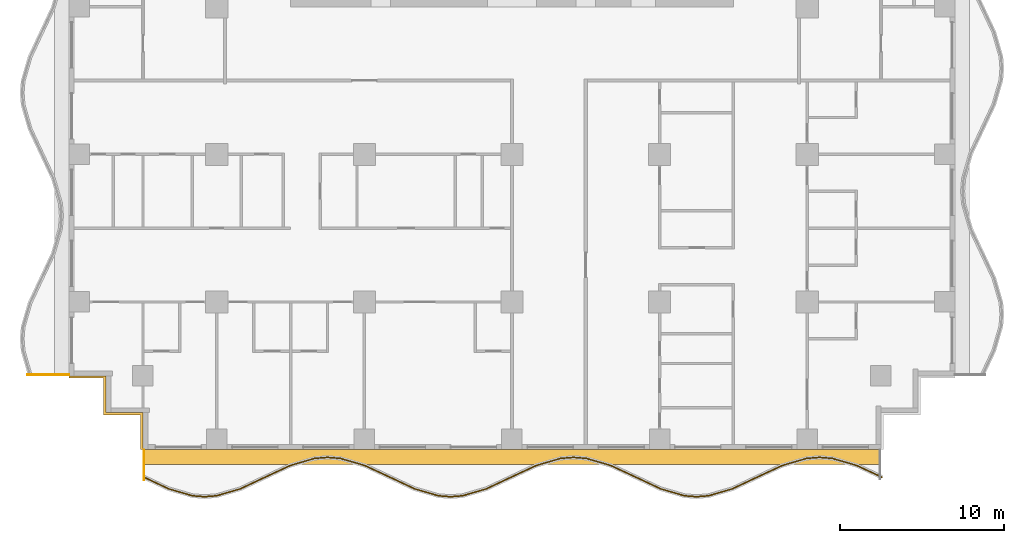
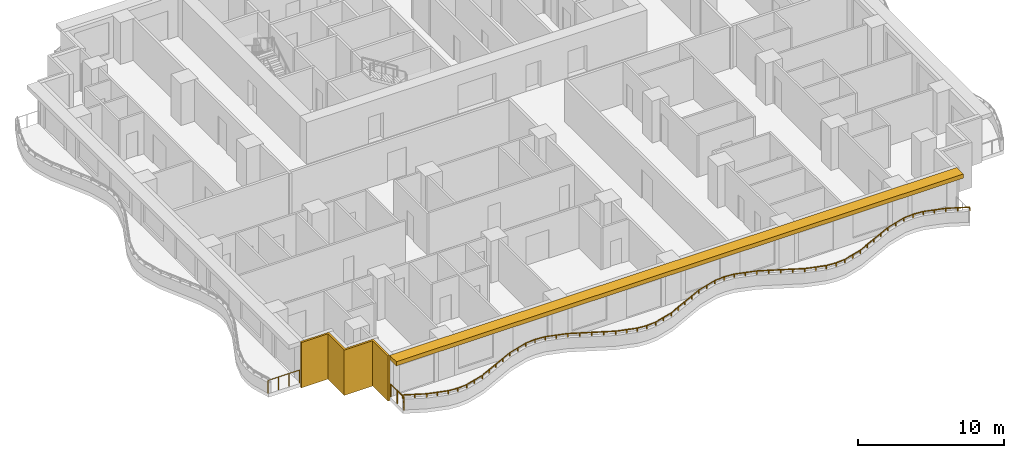
# One storey, part 8 of 14: 3 railings, 2 shading devices.
"""IFC4 building model written with IfcOpenShell, lengths in metres."""

import ifcopenshell
import ifcopenshell.guid

model = None  # the IFC model being written
_history = None  # IfcOwnerHistory: only IFC2X3 demands one
_inside = {}  # id of a spatial element -> (the spatial element, [elements in it])
_under = {}  # id of a project, library or spatial element -> (it, [spatial elements below it])
_declared = {}  # id of a project -> (the project, [libraries it declares])
_typed = {}  # id of a type object -> (the type object, [elements of that type])
_made_of = {}  # id of a material, layer set ... -> (it, [elements and type objects made of it])


def new_model(schema):
    """Start an empty IFC model of exactly this schema.

    Asked for "IFC4X3", IfcOpenShell would pick the latest addendum, in which some entities
    have other attributes; the version numbers below select the first issue.
    IFC2X3 requires an IfcOwnerHistory on every rooted entity: one is made here for all.
    """
    global model, _history
    if schema == "IFC4X3":
        model = ifcopenshell.file(schema_version=(4, 3, 0, 0))
    else:
        model = ifcopenshell.file(schema=schema)
    _inside.clear()
    _under.clear()
    _declared.clear()
    _typed.clear()
    _made_of.clear()
    _history = None
    if model.schema == "IFC2X3":
        org = make("IfcOrganization", Name="unknown")
        user = make(
            "IfcPersonAndOrganization",
            ThePerson=make("IfcPerson", FamilyName="unknown"),
            TheOrganization=org,
        )
        app = make(
            "IfcApplication",
            ApplicationDeveloper=org,
            Version="unknown",
            ApplicationFullName="unknown",
            ApplicationIdentifier="unknown",
        )
        _history = make(
            "IfcOwnerHistory",
            OwningUser=user,
            OwningApplication=app,
            ChangeAction="ADDED",
            CreationDate=0,
        )
    return model


def make(cls, **values):
    """One entity of the class cls with the attributes given. An attribute that is None is left unset."""
    return model.create_entity(
        cls, **{name: value for name, value in values.items() if value is not None}
    )


def rooted(cls, **values):
    """An entity with a GlobalId (a new one), such as an element, a storey or a relation."""
    return make(cls, GlobalId=ifcopenshell.guid.new(), OwnerHistory=_history, **values)


def si_unit(unit_type, name, prefix=None):
    """IfcSIUnit, for example si_unit("LENGTHUNIT", "METRE", prefix="MILLI")."""
    return make("IfcSIUnit", UnitType=unit_type, Prefix=prefix, Name=name)


def assignment(units):
    """IfcUnitAssignment: the units of a project."""
    return None if units is None else make("IfcUnitAssignment", Units=units)


def point(xyz):
    """IfcCartesianPoint."""
    return None if xyz is None else make("IfcCartesianPoint", Coordinates=xyz)


def direction(xyz):
    """IfcDirection."""
    return None if xyz is None else make("IfcDirection", DirectionRatios=xyz)


def frame(location, z_axis=None, x_axis=None):
    """IfcAxis2Placement3D, a coordinate frame: its origin and axes. An axis left out is left unset."""
    return make(
        "IfcAxis2Placement3D",
        Location=point(location),
        Axis=direction(z_axis),
        RefDirection=direction(x_axis),
    )


def frame_2d(location, x_axis=None):
    """IfcAxis2Placement2D, a coordinate frame in the plane: its origin and x axis."""
    return make(
        "IfcAxis2Placement2D", Location=point(location), RefDirection=direction(x_axis)
    )


def origin():
    """The frame at (0, 0, 0) with its axes left unset."""
    return frame((0.0, 0.0, 0.0))


def origin_2d():
    """The frame at (0, 0) in the plane with its x axis left unset."""
    return frame_2d((0.0, 0.0))


def place(relative_to, where):
    """IfcLocalPlacement: puts the frame where relative to a parent placement (None: the world)."""
    return make(
        "IfcLocalPlacement", PlacementRelTo=relative_to, RelativePlacement=where
    )


def context(
    kind, dimensions, precision=None, world=None, true_north=None, identifier=None
):
    """IfcGeometricRepresentationContext, for example the 3D "Model" context."""
    return make(
        "IfcGeometricRepresentationContext",
        ContextIdentifier=identifier,
        ContextType=kind,
        CoordinateSpaceDimension=dimensions,
        Precision=precision,
        WorldCoordinateSystem=world,
        TrueNorth=true_north,
    )


def subcontext(parent, identifier, kind, view, scale=None):
    """IfcGeometricRepresentationSubContext, for example "Body" below "Model"."""
    return make(
        "IfcGeometricRepresentationSubContext",
        ContextIdentifier=identifier,
        ContextType=kind,
        ParentContext=parent,
        TargetScale=scale,
        TargetView=view,
    )


def project(units=None, contexts=None):
    """IfcProject with its units and contexts."""
    return rooted(
        "IfcProject",
        Name="project",
        RepresentationContexts=contexts,
        UnitsInContext=assignment(units),
    )


def spatial(cls, under=None, at=None, **own):
    """A site, building, storey or space (cls), placed at a placement, below another one or the project."""
    s = rooted(cls, ObjectPlacement=at, **own)
    if under is not None:
        _under.setdefault(under.id(), (under, []))[1].append(s)
    return s


def polyline(points):
    """IfcPolyline through the points."""
    return make("IfcPolyline", Points=[point(p) for p in points])


def profile(cls, at=None, kind="AREA", **sizes):
    """A parametric profile (cls). Its sizes go by their IFC names, for example OverallWidth=200.0."""
    return make(cls, ProfileType=kind, Position=at, **sizes)


def rectangle(**sizes):
    """IfcRectangleProfileDef."""
    return profile("IfcRectangleProfileDef", **sizes)


def outline(outer, holes=None, kind="AREA"):
    """IfcArbitraryClosedProfileDef: a profile drawn as a closed curve; with holes, ...WithVoids."""
    if holes is None:
        return make("IfcArbitraryClosedProfileDef", ProfileType=kind, OuterCurve=outer)
    return make(
        "IfcArbitraryProfileDefWithVoids",
        ProfileType=kind,
        OuterCurve=outer,
        InnerCurves=holes,
    )


def extrude(swept, where, along, depth):
    """IfcExtrudedAreaSolid: the profile swept, set in the frame where, extruded along a direction by depth."""
    return make(
        "IfcExtrudedAreaSolid",
        SweptArea=swept,
        Position=where,
        ExtrudedDirection=direction(along),
        Depth=depth,
    )


def shape(context_of_items, identifier, shape_type, items):
    """IfcShapeRepresentation: the items that make up one representation, for example the "Body"."""
    return make(
        "IfcShapeRepresentation",
        ContextOfItems=context_of_items,
        RepresentationIdentifier=identifier,
        RepresentationType=shape_type,
        Items=items,
    )


def material(Name=None, Category=None):
    """IfcMaterial."""
    return make("IfcMaterial", Name=Name, Category=Category)


def layer(
    of_material, thickness, ventilated=None, Name=None, Category=None, Priority=None
):
    """IfcMaterialLayer: one layer of a wall or slab, of a material (None: an air gap)."""
    return make(
        "IfcMaterialLayer",
        Material=of_material,
        LayerThickness=thickness,
        IsVentilated=ventilated,
        Name=Name,
        Category=Category,
        Priority=Priority,
    )


def layer_set(layers, Name=None):
    """IfcMaterialLayerSet."""
    return make("IfcMaterialLayerSet", MaterialLayers=layers, LayerSetName=Name)


def made_of(thing, what):
    """Note that an element or type object is made of a material, layer set ...; save() writes the relation."""
    if what is not None:
        _made_of.setdefault(what.id(), (what, []))[1].append(thing)
    return thing


def type_object(cls, material=None, **own):
    """A type object (cls), such as IfcWallType, which elements share."""
    return made_of(rooted(cls, **own), material)


def element(
    cls,
    number,
    at=None,
    inside=None,
    cuts=None,
    type_object=None,
    material=None,
    context=None,
    identifier="Body",
    shape_type=None,
    held_by="IfcProductDefinitionShape",
    body=None,
    shapes=None,
    **own,
):
    """One element of the class cls, such as IfcWall. Its Tag is "e" and its number.

    at: its placement. inside: the storey or other place that contains it. cuts: it is an
    opening in that element (IfcRelVoidsElement). A single representation is given by context,
    identifier, shape_type and body (its items); several are given by shapes. held_by: the class
    of the entity that holds the representations. save() writes the other relations.
    """
    e = rooted(cls, Tag="e%d" % number, ObjectPlacement=at, **own)
    if body is not None:
        shapes = [shape(context, identifier, shape_type, body)]
    if shapes is not None:
        e.Representation = make(held_by, Representations=shapes)
    if inside is not None:
        _inside.setdefault(inside.id(), (inside, []))[1].append(e)
    if cuts is not None:
        rooted(
            "IfcRelVoidsElement", RelatingBuildingElement=cuts, RelatedOpeningElement=e
        )
    if type_object is not None:
        _typed.setdefault(type_object.id(), (type_object, []))[1].append(e)
    return made_of(e, material)


def aggregate(whole, parts):
    """IfcRelAggregates: a whole, such as a stair, and the parts it consists of."""
    return rooted("IfcRelAggregates", RelatingObject=whole, RelatedObjects=parts)


def save(model, path):
    """Write the relations noted so far, then the file.

    IfcRelAggregates (storeys below a building ...), IfcRelContainedInSpatialStructure (elements
    in a storey), IfcRelDefinesByType, IfcRelAssociatesMaterial and IfcRelDeclares: one each for
    every whole, place, type object, material and project.
    """
    for whole, parts in _under.values():
        aggregate(whole, parts)
    for where, things in _inside.values():
        rooted(
            "IfcRelContainedInSpatialStructure",
            RelatedElements=things,
            RelatingStructure=where,
        )
    for kind, things in _typed.values():
        rooted("IfcRelDefinesByType", RelatedObjects=things, RelatingType=kind)
    for what, things in _made_of.values():
        rooted("IfcRelAssociatesMaterial", RelatedObjects=things, RelatingMaterial=what)
    for by, libraries in _declared.values():
        rooted("IfcRelDeclares", RelatingContext=by, RelatedDefinitions=libraries)
    model.write(path)


model = new_model("IFC4")

# Units and contexts
model_context = context("Model", 3, precision=1e-05, world=origin(), true_north=direction((0.0, 1.0)))
body_context = subcontext(model_context, "Body", "Model", "MODEL_VIEW")
ifc_project = project(units=[si_unit("LENGTHUNIT", "METRE"), si_unit("AREAUNIT", "SQUARE_METRE"), si_unit("VOLUMEUNIT", "CUBIC_METRE"), si_unit("PLANEANGLEUNIT", "RADIAN"), si_unit("MASSUNIT", "GRAM", prefix="KILO")], contexts=[model_context])

# Site, building, storey
site_placement = place(None, origin())
site = spatial("IfcSite", under=ifc_project, at=site_placement, CompositionType="ELEMENT")
building_placement = place(site_placement, origin())
building = spatial("IfcBuilding", under=site, at=building_placement, Name="Orbiselva Terraces", CompositionType="ELEMENT")
storey_placement = place(building_placement, frame((0.0, 0.0, 107.4)))
storey = spatial("IfcBuildingStorey", under=building, at=storey_placement, Name="L27", CompositionType="ELEMENT", Elevation=107.4)

# Railings
ifc_material_1 = material(Name="Bonded two-ply safety glass balustrade, stainless steel posts", Category="steel")
railing_type_1 = type_object("IfcRailingType", Name="ENV-BALUSTRADE-1200", PredefinedType="BALUSTRADE", material=ifc_material_1)
railing_1_placement = place(storey_placement, frame((-22.446809, -24.186882, 0.9)))
element("IfcRailing", 1, at=railing_1_placement, inside=storey, type_object=railing_type_1, Name="Balcony balustrade L27 S", PredefinedType="BALUSTRADE", context=body_context, shape_type="SweptSolid", body=[
    extrude(outline(polyline([(0.028868, 0.0), (0.014434, 0.025), (-0.014434, 0.025), (-0.028868, 0.0), (-0.014434, -0.025), (0.014434, -0.025), (0.028868, 0.0)])), frame((0.0, 0.0, 0.275), z_axis=(0.904944359461, -0.425529912322, 0.0), x_axis=(0.425529912322, 0.904944359461, 0.0)), (0.0, 0.0, 1.0), 1.647746),
    extrude(outline(polyline([(0.028868, 0.0), (0.014434, 0.025), (-0.014434, 0.025), (-0.028868, 0.0), (-0.014434, -0.025), (0.014434, -0.025), (0.028868, 0.0)])), frame((1.491118, -0.701165, 0.275), z_axis=(0.960270317007, -0.279071528957, 0.0), x_axis=(0.279071528957, 0.960270317007, 0.0)), (0.0, 0.0, 1.0), 1.539408),
    extrude(outline(polyline([(0.028868, 0.0), (0.014434, 0.025), (-0.014434, 0.025), (-0.028868, 0.0), (-0.014434, -0.025), (0.014434, -0.025), (0.028868, 0.0)])), frame((2.969366, -1.13077, 0.275), z_axis=(0.996947916106, -0.078069536776, 0.0), x_axis=(0.078069536776, 0.996947916106, 0.0)), (0.0, 0.0, 1.0), 0.72967),
    extrude(outline(polyline([(0.028868, 0.0), (0.014434, 0.025), (-0.014434, 0.025), (-0.028868, 0.0), (-0.014434, -0.025), (0.014434, -0.025), (0.028868, 0.0)])), frame((3.696809, -1.187735, 0.275), z_axis=(0.996947916106, 0.078069536776, 0.0), x_axis=(-0.078069536776, 0.996947916106, 0.0)), (0.0, 0.0, 1.0), 0.72967),
    extrude(outline(polyline([(0.028868, 0.0), (0.014434, 0.025), (-0.014434, 0.025), (-0.028868, 0.0), (-0.014434, -0.025), (0.014434, -0.025), (0.028868, 0.0)])), frame((4.424252, -1.13077, 0.275), z_axis=(0.960270317007, 0.279071528957, 0.0), x_axis=(-0.279071528957, 0.960270317007, 0.0)), (0.0, 0.0, 1.0), 1.539408),
    extrude(outline(polyline([(0.028868, 0.0), (0.014434, 0.025), (-0.014434, 0.025), (-0.028868, 0.0), (-0.014434, -0.025), (0.014434, -0.025), (0.028868, 0.0)])), frame((5.9025, -0.701165, 0.275), z_axis=(0.904944359461, 0.425529912322, 0.0), x_axis=(-0.425529912322, 0.904944359461, 0.0)), (0.0, 0.0, 1.0), 1.647746),
    extrude(outline(polyline([(0.028868, 0.0), (0.014434, 0.025), (-0.014434, 0.025), (-0.028868, 0.0), (-0.014434, -0.025), (0.014434, -0.025), (0.028868, 0.0)])), frame((7.393618, 0.0, 0.275), z_axis=(0.904944157382, 0.425530342069, 0.0), x_axis=(-0.425530342069, 0.904944157382, 0.0)), (0.0, 0.0, 1.0), 1.667376),
    extrude(outline(polyline([(0.028868, 0.0), (0.014434, 0.025), (-0.014434, 0.025), (-0.028868, 0.0), (-0.014434, -0.025), (0.014434, -0.025), (0.028868, 0.0)])), frame((8.9025, 0.709519, 0.275), z_axis=(0.960270491427, 0.279070928786, 0.0), x_axis=(-0.279070928786, 0.960270491427, 0.0)), (0.0, 0.0, 1.0), 1.584712),
    extrude(outline(polyline([(0.028868, 0.0), (0.014434, 0.025), (-0.014434, 0.025), (-0.028868, 0.0), (-0.014434, -0.025), (0.014434, -0.025), (0.028868, 0.0)])), frame((10.424252, 1.151766, 0.275), z_axis=(0.996947796737, 0.078071061106, 0.0), x_axis=(-0.078071061106, 0.996947796737, 0.0)), (0.0, 0.0, 1.0), 0.774922),
    extrude(outline(polyline([(0.028868, 0.0), (0.014434, 0.025), (-0.014434, 0.025), (-0.028868, 0.0), (-0.014434, -0.025), (0.014434, -0.025), (0.028868, 0.0)])), frame((11.196809, 1.212265, 0.275), z_axis=(0.996947796737, -0.078071061106, 0.0), x_axis=(0.078071061106, 0.996947796737, 0.0)), (0.0, 0.0, 1.0), 0.774922),
    extrude(outline(polyline([(0.028868, 0.0), (0.014434, 0.025), (-0.014434, 0.025), (-0.028868, 0.0), (-0.014434, -0.025), (0.014434, -0.025), (0.028868, 0.0)])), frame((11.969366, 1.151766, 0.275), z_axis=(0.960270491427, -0.279070928786, 0.0), x_axis=(0.279070928786, 0.960270491427, 0.0)), (0.0, 0.0, 1.0), 1.584712),
    extrude(outline(polyline([(0.028868, 0.0), (0.014434, 0.025), (-0.014434, 0.025), (-0.028868, 0.0), (-0.014434, -0.025), (0.014434, -0.025), (0.028868, 0.0)])), frame((13.491118, 0.709519, 0.275), z_axis=(0.904944157382, -0.425530342069, 0.0), x_axis=(0.425530342069, 0.904944157382, 0.0)), (0.0, 0.0, 1.0), 1.667376),
    extrude(outline(polyline([(0.028868, 0.0), (0.014434, 0.025), (-0.014434, 0.025), (-0.028868, 0.0), (-0.014434, -0.025), (0.014434, -0.025), (0.028868, 0.0)])), frame((15.0, 0.0, 0.275), z_axis=(0.904944359461, -0.425529912322, 0.0), x_axis=(0.425529912322, 0.904944359461, 0.0)), (0.0, 0.0, 1.0), 1.647746),
    extrude(outline(polyline([(0.028868, 0.0), (0.014434, 0.025), (-0.014434, 0.025), (-0.028868, 0.0), (-0.014434, -0.025), (0.014434, -0.025), (0.028868, 0.0)])), frame((16.491118, -0.701165, 0.275), z_axis=(0.960270317007, -0.279071528957, 0.0), x_axis=(0.279071528957, 0.960270317007, 0.0)), (0.0, 0.0, 1.0), 1.539408),
    extrude(outline(polyline([(0.028868, 0.0), (0.014434, 0.025), (-0.014434, 0.025), (-0.028868, 0.0), (-0.014434, -0.025), (0.014434, -0.025), (0.028868, 0.0)])), frame((17.969366, -1.13077, 0.275), z_axis=(0.996947916106, -0.078069536776, 0.0), x_axis=(0.078069536776, 0.996947916106, 0.0)), (0.0, 0.0, 1.0), 0.72967),
    extrude(outline(polyline([(0.028868, 0.0), (0.014434, 0.025), (-0.014434, 0.025), (-0.028868, 0.0), (-0.014434, -0.025), (0.014434, -0.025), (0.028868, 0.0)])), frame((18.696809, -1.187735, 0.275), z_axis=(0.996947916106, 0.078069536776, 0.0), x_axis=(-0.078069536776, 0.996947916106, 0.0)), (0.0, 0.0, 1.0), 0.72967),
    extrude(outline(polyline([(0.028868, 0.0), (0.014434, 0.025), (-0.014434, 0.025), (-0.028868, 0.0), (-0.014434, -0.025), (0.014434, -0.025), (0.028868, 0.0)])), frame((19.424252, -1.13077, 0.275), z_axis=(0.960270317007, 0.279071528957, 0.0), x_axis=(-0.279071528957, 0.960270317007, 0.0)), (0.0, 0.0, 1.0), 1.539408),
    extrude(outline(polyline([(0.028868, 0.0), (0.014434, 0.025), (-0.014434, 0.025), (-0.028868, 0.0), (-0.014434, -0.025), (0.014434, -0.025), (0.028868, 0.0)])), frame((20.9025, -0.701165, 0.275), z_axis=(0.904944359461, 0.425529912322, 0.0), x_axis=(-0.425529912322, 0.904944359461, 0.0)), (0.0, 0.0, 1.0), 1.647746),
    extrude(outline(polyline([(0.028868, 0.0), (0.014434, 0.025), (-0.014434, 0.025), (-0.028868, 0.0), (-0.014434, -0.025), (0.014434, -0.025), (0.028868, 0.0)])), frame((22.393618, 0.0, 0.275), z_axis=(0.904944157382, 0.425530342069, 0.0), x_axis=(-0.425530342069, 0.904944157382, 0.0)), (0.0, 0.0, 1.0), 1.667376),
    extrude(outline(polyline([(0.028868, 0.0), (0.014434, 0.025), (-0.014434, 0.025), (-0.028868, 0.0), (-0.014434, -0.025), (0.014434, -0.025), (0.028868, 0.0)])), frame((23.9025, 0.709519, 0.275), z_axis=(0.960270491427, 0.279070928786, 0.0), x_axis=(-0.279070928786, 0.960270491427, 0.0)), (0.0, 0.0, 1.0), 1.584712),
    extrude(outline(polyline([(0.028868, 0.0), (0.014434, 0.025), (-0.014434, 0.025), (-0.028868, 0.0), (-0.014434, -0.025), (0.014434, -0.025), (0.028868, 0.0)])), frame((25.424252, 1.151766, 0.275), z_axis=(0.996947796737, 0.078071061106, 0.0), x_axis=(-0.078071061106, 0.996947796737, 0.0)), (0.0, 0.0, 1.0), 0.774922),
    extrude(outline(polyline([(0.028868, 0.0), (0.014434, 0.025), (-0.014434, 0.025), (-0.028868, 0.0), (-0.014434, -0.025), (0.014434, -0.025), (0.028868, 0.0)])), frame((26.196809, 1.212265, 0.275), z_axis=(0.996947796737, -0.078071061106, 0.0), x_axis=(0.078071061106, 0.996947796737, 0.0)), (0.0, 0.0, 1.0), 0.774922),
    extrude(outline(polyline([(0.028868, 0.0), (0.014434, 0.025), (-0.014434, 0.025), (-0.028868, 0.0), (-0.014434, -0.025), (0.014434, -0.025), (0.028868, 0.0)])), frame((26.969366, 1.151766, 0.275), z_axis=(0.960270491427, -0.279070928786, 0.0), x_axis=(0.279070928786, 0.960270491427, 0.0)), (0.0, 0.0, 1.0), 1.584712),
    extrude(outline(polyline([(0.028868, 0.0), (0.014434, 0.025), (-0.014434, 0.025), (-0.028868, 0.0), (-0.014434, -0.025), (0.014434, -0.025), (0.028868, 0.0)])), frame((28.491118, 0.709519, 0.275), z_axis=(0.904944157382, -0.425530342069, 0.0), x_axis=(0.425530342069, 0.904944157382, 0.0)), (0.0, 0.0, 1.0), 1.667376),
    extrude(outline(polyline([(0.028868, 0.0), (0.014434, 0.025), (-0.014434, 0.025), (-0.028868, 0.0), (-0.014434, -0.025), (0.014434, -0.025), (0.028868, 0.0)])), frame((30.0, 0.0, 0.275), z_axis=(0.904944359461, -0.425529912322, 0.0), x_axis=(0.425529912322, 0.904944359461, 0.0)), (0.0, 0.0, 1.0), 1.647746),
    extrude(outline(polyline([(0.028868, 0.0), (0.014434, 0.025), (-0.014434, 0.025), (-0.028868, 0.0), (-0.014434, -0.025), (0.014434, -0.025), (0.028868, 0.0)])), frame((31.491118, -0.701165, 0.275), z_axis=(0.960270317007, -0.279071528957, 0.0), x_axis=(0.279071528957, 0.960270317007, 0.0)), (0.0, 0.0, 1.0), 1.539408),
    extrude(outline(polyline([(0.028868, 0.0), (0.014434, 0.025), (-0.014434, 0.025), (-0.028868, 0.0), (-0.014434, -0.025), (0.014434, -0.025), (0.028868, 0.0)])), frame((32.969366, -1.13077, 0.275), z_axis=(0.996947916106, -0.078069536776, 0.0), x_axis=(0.078069536776, 0.996947916106, 0.0)), (0.0, 0.0, 1.0), 0.72967),
    extrude(outline(polyline([(0.028868, 0.0), (0.014434, 0.025), (-0.014434, 0.025), (-0.028868, 0.0), (-0.014434, -0.025), (0.014434, -0.025), (0.028868, 0.0)])), frame((33.696809, -1.187735, 0.275), z_axis=(0.996947916106, 0.078069536776, 0.0), x_axis=(-0.078069536776, 0.996947916106, 0.0)), (0.0, 0.0, 1.0), 0.72967),
    extrude(outline(polyline([(0.028868, 0.0), (0.014434, 0.025), (-0.014434, 0.025), (-0.028868, 0.0), (-0.014434, -0.025), (0.014434, -0.025), (0.028868, 0.0)])), frame((34.424252, -1.13077, 0.275), z_axis=(0.960270317007, 0.279071528957, 0.0), x_axis=(-0.279071528957, 0.960270317007, 0.0)), (0.0, 0.0, 1.0), 1.539408),
    extrude(outline(polyline([(0.028868, 0.0), (0.014434, 0.025), (-0.014434, 0.025), (-0.028868, 0.0), (-0.014434, -0.025), (0.014434, -0.025), (0.028868, 0.0)])), frame((35.9025, -0.701165, 0.275), z_axis=(0.904944359461, 0.425529912322, 0.0), x_axis=(-0.425529912322, 0.904944359461, 0.0)), (0.0, 0.0, 1.0), 1.647746),
    extrude(outline(polyline([(0.028868, 0.0), (0.014434, 0.025), (-0.014434, 0.025), (-0.028868, 0.0), (-0.014434, -0.025), (0.014434, -0.025), (0.028868, 0.0)])), frame((37.393618, 0.0, 0.275), z_axis=(0.904944157382, 0.425530342069, 0.0), x_axis=(-0.425530342069, 0.904944157382, 0.0)), (0.0, 0.0, 1.0), 1.667376),
    extrude(outline(polyline([(0.028868, 0.0), (0.014434, 0.025), (-0.014434, 0.025), (-0.028868, 0.0), (-0.014434, -0.025), (0.014434, -0.025), (0.028868, 0.0)])), frame((38.9025, 0.709519, 0.275), z_axis=(0.960270491427, 0.279070928786, 0.0), x_axis=(-0.279070928786, 0.960270491427, 0.0)), (0.0, 0.0, 1.0), 1.584712),
    extrude(outline(polyline([(0.028868, 0.0), (0.014434, 0.025), (-0.014434, 0.025), (-0.028868, 0.0), (-0.014434, -0.025), (0.014434, -0.025), (0.028868, 0.0)])), frame((40.424252, 1.151766, 0.275), z_axis=(0.996947796737, 0.078071061106, 0.0), x_axis=(-0.078071061106, 0.996947796737, 0.0)), (0.0, 0.0, 1.0), 0.774922),
    extrude(outline(polyline([(0.028868, 0.0), (0.014434, 0.025), (-0.014434, 0.025), (-0.028868, 0.0), (-0.014434, -0.025), (0.014434, -0.025), (0.028868, 0.0)])), frame((41.196809, 1.212265, 0.275), z_axis=(0.996947796737, -0.078071061106, 0.0), x_axis=(0.078071061106, 0.996947796737, 0.0)), (0.0, 0.0, 1.0), 0.774922),
    extrude(outline(polyline([(0.028868, 0.0), (0.014434, 0.025), (-0.014434, 0.025), (-0.028868, 0.0), (-0.014434, -0.025), (0.014434, -0.025), (0.028868, 0.0)])), frame((41.969366, 1.151766, 0.275), z_axis=(0.960270491427, -0.279070928786, 0.0), x_axis=(0.279070928786, 0.960270491427, 0.0)), (0.0, 0.0, 1.0), 1.584712),
    extrude(outline(polyline([(0.028868, 0.0), (0.014434, 0.025), (-0.014434, 0.025), (-0.028868, 0.0), (-0.014434, -0.025), (0.014434, -0.025), (0.028868, 0.0)])), frame((43.491118, 0.709519, 0.275), z_axis=(0.904944157382, -0.425530342069, 0.0), x_axis=(0.425530342069, 0.904944157382, 0.0)), (0.0, 0.0, 1.0), 1.667376),
    extrude(rectangle(XDim=0.05, YDim=0.05, at=origin_2d()), origin(), (0.0, 0.0, 1.0), 0.25),
    extrude(rectangle(XDim=0.05, YDim=0.05, at=origin_2d()), frame((0.745559, -0.350582, 0.0)), (0.0, 0.0, 1.0), 0.25),
    extrude(rectangle(XDim=0.05, YDim=0.05, at=origin_2d()), frame((1.491118, -0.701165, 0.0)), (0.0, 0.0, 1.0), 0.25),
    extrude(rectangle(XDim=0.05, YDim=0.05, at=origin_2d()), frame((2.230242, -0.915967, 0.0)), (0.0, 0.0, 1.0), 0.25),
    extrude(rectangle(XDim=0.05, YDim=0.05, at=origin_2d()), frame((2.969366, -1.13077, 0.0)), (0.0, 0.0, 1.0), 0.25),
    extrude(rectangle(XDim=0.05, YDim=0.05, at=origin_2d()), frame((3.696809, -1.187735, 0.0)), (0.0, 0.0, 1.0), 0.25),
    extrude(rectangle(XDim=0.05, YDim=0.05, at=origin_2d()), frame((4.424252, -1.13077, 0.0)), (0.0, 0.0, 1.0), 0.25),
    extrude(rectangle(XDim=0.05, YDim=0.05, at=origin_2d()), frame((5.163376, -0.915967, 0.0)), (0.0, 0.0, 1.0), 0.25),
    extrude(rectangle(XDim=0.05, YDim=0.05, at=origin_2d()), frame((5.9025, -0.701165, 0.0)), (0.0, 0.0, 1.0), 0.25),
    extrude(rectangle(XDim=0.05, YDim=0.05, at=origin_2d()), frame((6.648059, -0.350582, 0.0)), (0.0, 0.0, 1.0), 0.25),
    extrude(rectangle(XDim=0.05, YDim=0.05, at=origin_2d()), frame((7.393618, 0.0, 0.0)), (0.0, 0.0, 1.0), 0.25),
    extrude(rectangle(XDim=0.05, YDim=0.05, at=origin_2d()), frame((8.148059, 0.35476, 0.0)), (0.0, 0.0, 1.0), 0.25),
    extrude(rectangle(XDim=0.05, YDim=0.05, at=origin_2d()), frame((8.9025, 0.709519, 0.0)), (0.0, 0.0, 1.0), 0.25),
    extrude(rectangle(XDim=0.05, YDim=0.05, at=origin_2d()), frame((9.663376, 0.930643, 0.0)), (0.0, 0.0, 1.0), 0.25),
    extrude(rectangle(XDim=0.05, YDim=0.05, at=origin_2d()), frame((10.424252, 1.151766, 0.0)), (0.0, 0.0, 1.0), 0.25),
    extrude(rectangle(XDim=0.05, YDim=0.05, at=origin_2d()), frame((11.196809, 1.212265, 0.0)), (0.0, 0.0, 1.0), 0.25),
    extrude(rectangle(XDim=0.05, YDim=0.05, at=origin_2d()), frame((11.969366, 1.151766, 0.0)), (0.0, 0.0, 1.0), 0.25),
    extrude(rectangle(XDim=0.05, YDim=0.05, at=origin_2d()), frame((12.730242, 0.930643, 0.0)), (0.0, 0.0, 1.0), 0.25),
    extrude(rectangle(XDim=0.05, YDim=0.05, at=origin_2d()), frame((13.491118, 0.709519, 0.0)), (0.0, 0.0, 1.0), 0.25),
    extrude(rectangle(XDim=0.05, YDim=0.05, at=origin_2d()), frame((14.245559, 0.35476, 0.0)), (0.0, 0.0, 1.0), 0.25),
    extrude(rectangle(XDim=0.05, YDim=0.05, at=origin_2d()), frame((15.0, 0.0, 0.0)), (0.0, 0.0, 1.0), 0.25),
    extrude(rectangle(XDim=0.05, YDim=0.05, at=origin_2d()), frame((15.745559, -0.350582, 0.0)), (0.0, 0.0, 1.0), 0.25),
    extrude(rectangle(XDim=0.05, YDim=0.05, at=origin_2d()), frame((16.491118, -0.701165, 0.0)), (0.0, 0.0, 1.0), 0.25),
    extrude(rectangle(XDim=0.05, YDim=0.05, at=origin_2d()), frame((17.230242, -0.915967, 0.0)), (0.0, 0.0, 1.0), 0.25),
    extrude(rectangle(XDim=0.05, YDim=0.05, at=origin_2d()), frame((17.969366, -1.13077, 0.0)), (0.0, 0.0, 1.0), 0.25),
    extrude(rectangle(XDim=0.05, YDim=0.05, at=origin_2d()), frame((18.696809, -1.187735, 0.0)), (0.0, 0.0, 1.0), 0.25),
    extrude(rectangle(XDim=0.05, YDim=0.05, at=origin_2d()), frame((19.424252, -1.13077, 0.0)), (0.0, 0.0, 1.0), 0.25),
    extrude(rectangle(XDim=0.05, YDim=0.05, at=origin_2d()), frame((20.163376, -0.915967, 0.0)), (0.0, 0.0, 1.0), 0.25),
    extrude(rectangle(XDim=0.05, YDim=0.05, at=origin_2d()), frame((20.9025, -0.701165, 0.0)), (0.0, 0.0, 1.0), 0.25),
    extrude(rectangle(XDim=0.05, YDim=0.05, at=origin_2d()), frame((21.648059, -0.350582, 0.0)), (0.0, 0.0, 1.0), 0.25),
    extrude(rectangle(XDim=0.05, YDim=0.05, at=origin_2d()), frame((22.393618, 0.0, 0.0)), (0.0, 0.0, 1.0), 0.25),
    extrude(rectangle(XDim=0.05, YDim=0.05, at=origin_2d()), frame((23.148059, 0.35476, 0.0)), (0.0, 0.0, 1.0), 0.25),
    extrude(rectangle(XDim=0.05, YDim=0.05, at=origin_2d()), frame((23.9025, 0.709519, 0.0)), (0.0, 0.0, 1.0), 0.25),
    extrude(rectangle(XDim=0.05, YDim=0.05, at=origin_2d()), frame((24.663376, 0.930643, 0.0)), (0.0, 0.0, 1.0), 0.25),
    extrude(rectangle(XDim=0.05, YDim=0.05, at=origin_2d()), frame((25.424252, 1.151766, 0.0)), (0.0, 0.0, 1.0), 0.25),
    extrude(rectangle(XDim=0.05, YDim=0.05, at=origin_2d()), frame((26.196809, 1.212265, 0.0)), (0.0, 0.0, 1.0), 0.25),
    extrude(rectangle(XDim=0.05, YDim=0.05, at=origin_2d()), frame((26.969366, 1.151766, 0.0)), (0.0, 0.0, 1.0), 0.25),
    extrude(rectangle(XDim=0.05, YDim=0.05, at=origin_2d()), frame((27.730242, 0.930643, 0.0)), (0.0, 0.0, 1.0), 0.25),
    extrude(rectangle(XDim=0.05, YDim=0.05, at=origin_2d()), frame((28.491118, 0.709519, 0.0)), (0.0, 0.0, 1.0), 0.25),
    extrude(rectangle(XDim=0.05, YDim=0.05, at=origin_2d()), frame((29.245559, 0.35476, 0.0)), (0.0, 0.0, 1.0), 0.25),
    extrude(rectangle(XDim=0.05, YDim=0.05, at=origin_2d()), frame((30.0, 0.0, 0.0)), (0.0, 0.0, 1.0), 0.25),
    extrude(rectangle(XDim=0.05, YDim=0.05, at=origin_2d()), frame((30.745559, -0.350582, 0.0)), (0.0, 0.0, 1.0), 0.25),
    extrude(rectangle(XDim=0.05, YDim=0.05, at=origin_2d()), frame((31.491118, -0.701165, 0.0)), (0.0, 0.0, 1.0), 0.25),
    extrude(rectangle(XDim=0.05, YDim=0.05, at=origin_2d()), frame((32.230242, -0.915967, 0.0)), (0.0, 0.0, 1.0), 0.25),
    extrude(rectangle(XDim=0.05, YDim=0.05, at=origin_2d()), frame((32.969366, -1.13077, 0.0)), (0.0, 0.0, 1.0), 0.25),
    extrude(rectangle(XDim=0.05, YDim=0.05, at=origin_2d()), frame((33.696809, -1.187735, 0.0)), (0.0, 0.0, 1.0), 0.25),
    extrude(rectangle(XDim=0.05, YDim=0.05, at=origin_2d()), frame((34.424252, -1.13077, 0.0)), (0.0, 0.0, 1.0), 0.25),
    extrude(rectangle(XDim=0.05, YDim=0.05, at=origin_2d()), frame((35.163376, -0.915967, 0.0)), (0.0, 0.0, 1.0), 0.25),
    extrude(rectangle(XDim=0.05, YDim=0.05, at=origin_2d()), frame((35.9025, -0.701165, 0.0)), (0.0, 0.0, 1.0), 0.25),
    extrude(rectangle(XDim=0.05, YDim=0.05, at=origin_2d()), frame((36.648059, -0.350582, 0.0)), (0.0, 0.0, 1.0), 0.25),
    extrude(rectangle(XDim=0.05, YDim=0.05, at=origin_2d()), frame((37.393618, 0.0, 0.0)), (0.0, 0.0, 1.0), 0.25),
    extrude(rectangle(XDim=0.05, YDim=0.05, at=origin_2d()), frame((38.148059, 0.35476, 0.0)), (0.0, 0.0, 1.0), 0.25),
    extrude(rectangle(XDim=0.05, YDim=0.05, at=origin_2d()), frame((38.9025, 0.709519, 0.0)), (0.0, 0.0, 1.0), 0.25),
    extrude(rectangle(XDim=0.05, YDim=0.05, at=origin_2d()), frame((39.663376, 0.930643, 0.0)), (0.0, 0.0, 1.0), 0.25),
    extrude(rectangle(XDim=0.05, YDim=0.05, at=origin_2d()), frame((40.424252, 1.151766, 0.0)), (0.0, 0.0, 1.0), 0.25),
    extrude(rectangle(XDim=0.05, YDim=0.05, at=origin_2d()), frame((41.196809, 1.212265, 0.0)), (0.0, 0.0, 1.0), 0.25),
    extrude(rectangle(XDim=0.05, YDim=0.05, at=origin_2d()), frame((41.969366, 1.151766, 0.0)), (0.0, 0.0, 1.0), 0.25),
    extrude(rectangle(XDim=0.05, YDim=0.05, at=origin_2d()), frame((42.730242, 0.930643, 0.0)), (0.0, 0.0, 1.0), 0.25),
    extrude(rectangle(XDim=0.05, YDim=0.05, at=origin_2d()), frame((43.491118, 0.709519, 0.0)), (0.0, 0.0, 1.0), 0.25),
    extrude(rectangle(XDim=0.05, YDim=0.05, at=origin_2d()), frame((44.245559, 0.35476, 0.0)), (0.0, 0.0, 1.0), 0.25),
    extrude(rectangle(XDim=0.05, YDim=0.05, at=origin_2d()), frame((45.0, 0.0, 0.0)), (0.0, 0.0, 1.0), 0.25),
])
ifc_material_2 = material(Name="Stainless steel rail and posts", Category="steel")
railing_type_2 = type_object("IfcRailingType", Name="ENV-GUARD-1105", PredefinedType="BALUSTRADE", material=ifc_material_2)
railing_2_placement = place(storey_placement, frame((-22.44, -24.330156, 0.0)))
element("IfcRailing", 2, at=railing_2_placement, inside=storey, type_object=railing_type_2, Name="Balcony end guard L27 S", PredefinedType="BALUSTRADE", context=body_context, shape_type="SweptSolid", body=[
    extrude(outline(polyline([(0.028868, 0.0), (0.014434, 0.025), (-0.014434, 0.025), (-0.028868, 0.0), (-0.014434, -0.025), (0.014434, -0.025), (0.028868, 0.0)])), frame((0.0, 0.0, 1.08), z_axis=(0.0, 1.0, 0.0), x_axis=(-1.0, 0.0, 0.0)), (0.0, 0.0, 1.0), 1.805156),
    extrude(rectangle(XDim=0.05, YDim=0.05, at=origin_2d()), origin(), (0.0, 0.0, 1.0), 1.055),
    extrude(rectangle(XDim=0.05, YDim=0.05, at=origin_2d()), frame((0.0, 0.902578, 0.0)), (0.0, 0.0, 1.0), 1.055),
    extrude(rectangle(XDim=0.05, YDim=0.05, at=origin_2d()), frame((0.0, 1.805156, 0.0)), (0.0, 0.0, 1.0), 1.055),
])
railing_3_placement = place(storey_placement, frame((-29.529516, -17.94, 0.0)))
element("IfcRailing", 3, at=railing_3_placement, inside=storey, type_object=railing_type_2, Name="Balcony end guard L27 W", PredefinedType="BALUSTRADE", context=body_context, shape_type="SweptSolid", body=[
    extrude(outline(polyline([(0.028868, 0.0), (0.014434, 0.025), (-0.014434, 0.025), (-0.028868, 0.0), (-0.014434, -0.025), (0.014434, -0.025), (0.028868, 0.0)])), frame((0.0, 0.0, 1.08), z_axis=(1.0, 0.0, 0.0), x_axis=(0.0, 1.0, 0.0)), (0.0, 0.0, 1.0), 2.504516),
    extrude(rectangle(XDim=0.05, YDim=0.05, at=origin_2d()), origin(), (0.0, 0.0, 1.0), 1.055),
    extrude(rectangle(XDim=0.05, YDim=0.05, at=origin_2d()), frame((0.834839, 0.0, 0.0)), (0.0, 0.0, 1.0), 1.055),
    extrude(rectangle(XDim=0.05, YDim=0.05, at=origin_2d()), frame((1.669677, 0.0, 0.0)), (0.0, 0.0, 1.0), 1.055),
    extrude(rectangle(XDim=0.05, YDim=0.05, at=origin_2d()), frame((2.504516, 0.0, 0.0)), (0.0, 0.0, 1.0), 1.055),
])

# Shading devices
ifc_material_3 = material(Name="Terracotta louvre screen", Category="masonry")
ifc_layer_1 = layer(ifc_material_3, 0.15)
ifc_layer_set_1 = layer_set([ifc_layer_1], Name="Terracotta louvre screen")
shading_device_type_1 = type_object("IfcShadingDeviceType", Name="ENV-SCREEN-150", PredefinedType="USERDEFINED", material=ifc_layer_set_1)
shading_device_1_placement = place(storey_placement, frame((0.0, 0.0, -0.3)))
element("IfcShadingDevice", 4, at=shading_device_1_placement, inside=storey, type_object=shading_device_type_1, Name="Louvre screen L27 SW", ObjectType="SCREEN", PredefinedType="USERDEFINED", context=body_context, shape_type="SweptSolid", body=[
    extrude(outline(polyline([(-27.0, -18.15), (-24.9, -18.15), (-24.9, -20.4), (-22.65, -20.4), (-22.65, -22.5), (-22.5, -22.5), (-22.5, -20.25), (-24.75, -20.25), (-24.75, -18.0), (-27.0, -18.0), (-27.0, -18.15)])), origin(), (0.0, 0.0, 1.0), 3.8),
])
ifc_material_4 = material(Name="Terracotta baguette sunshade", Category="masonry")
ifc_layer_2 = layer(ifc_material_4, 0.35)
ifc_layer_set_2 = layer_set([ifc_layer_2], Name="Terracotta baguette sunshade")
shading_device_type_2 = type_object("IfcShadingDeviceType", Name="ENV-SUNSHADE-900x350", PredefinedType="USERDEFINED", material=ifc_layer_set_2)
shading_device_2_placement = place(storey_placement, frame((0.0, 0.0, 3.15)))
element("IfcShadingDevice", 5, at=shading_device_2_placement, inside=storey, type_object=shading_device_type_2, Name="Sunshade band L27 S", ObjectType="SUNSHADE", PredefinedType="USERDEFINED", context=body_context, shape_type="SweptSolid", body=[
    extrude(outline(polyline([(-22.5, -23.4), (22.5, -23.4), (22.5, -22.5), (-22.5, -22.5), (-22.5, -23.4)])), origin(), (0.0, 0.0, 1.0), 0.35),
])

save(model, "model.ifc")
